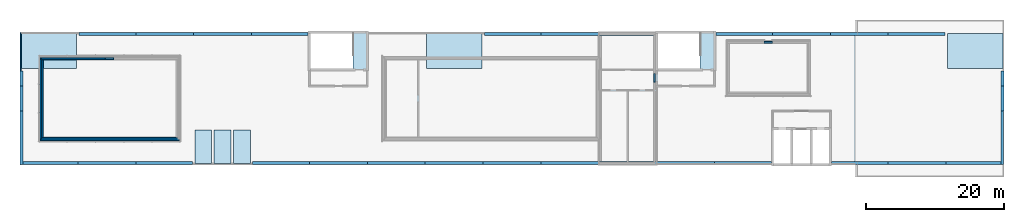
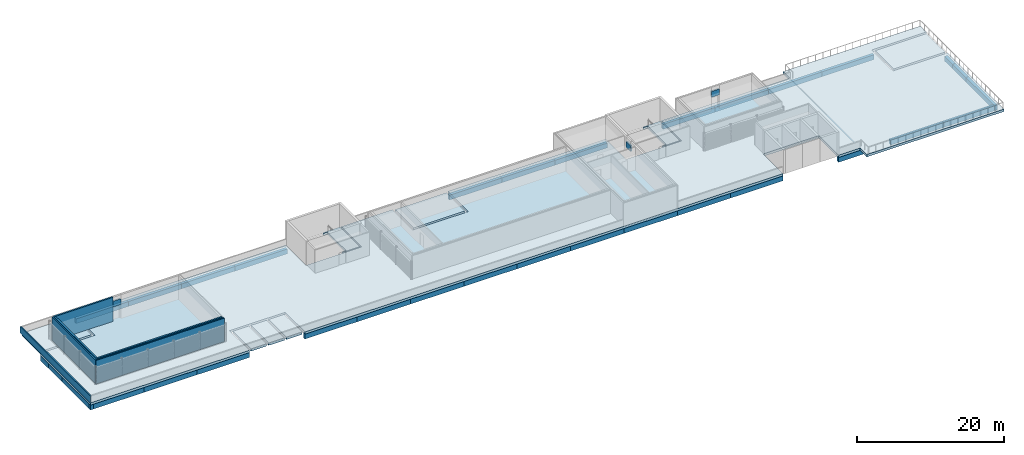
# One storey, part 1 of 13: 35 beams, 9 slabs, 6 walls.
"""IFC4 building model written with IfcOpenShell, lengths in metres."""

from ifc_helpers import new_model, si_unit, direction, frame, frame_2d, origin, origin_2d, place, context, subcontext, project, spatial, polyline, rectangle, outline, extrude, material, layer, layer_set, material_profile, profile_set, type_object, element, save


model = new_model("IFC4")

# Units and contexts
model_context = context("Model", 3, precision=1e-05, world=origin(), true_north=direction((0.0, 1.0)))
body_context = subcontext(model_context, "Body", "Model", "MODEL_VIEW")
ifc_project = project(units=[si_unit("LENGTHUNIT", "METRE"), si_unit("AREAUNIT", "SQUARE_METRE"), si_unit("VOLUMEUNIT", "CUBIC_METRE"), si_unit("PLANEANGLEUNIT", "RADIAN"), si_unit("MASSUNIT", "GRAM", prefix="KILO")], contexts=[model_context])

# Site, building, storey
site_placement = place(None, origin())
site = spatial("IfcSite", under=ifc_project, at=site_placement, CompositionType="ELEMENT")
building_placement = place(site_placement, origin())
building = spatial("IfcBuilding", under=site, at=building_placement, Name="Bougainvillea Quay General Hospital", CompositionType="ELEMENT")
storey_placement = place(building_placement, frame((0.0, 0.0, 36.60009765625)))
storey = spatial("IfcBuildingStorey", under=building, at=storey_placement, Name="L08", CompositionType="ELEMENT", Elevation=36.60009765625)

# Beams
ifc_material_1 = material(Name="Concrete C40, cast in situ", Category="concrete")
ifc_material_profile_1 = material_profile(ifc_material_1, rectangle(XDim=0.25, YDim=0.9599609375, at=origin_2d()))
ifc_profile_set_1 = profile_set([ifc_material_profile_1], Name="Concrete C40, cast in situ")
beam_type_1 = type_object("IfcBeamType", Name="Lintel beam RC 250x960", PredefinedType="BEAM", material=ifc_profile_set_1)
for number, where, z_axis, x_axis, name in (
    (1, (134.099609375, 152.39990234375, 2.829833984375), (0.0, 1.0, 0.0), (-1.0, 0.0, 0.0), "Lintel beam over plant room door"),
    (2, (54.39990234375, 155.7744140625, 2.829833984375), (1.0, 0.0, 0.0), (0.0, 1.0, 0.0), "Lintel beam over plant room door"),
):
    element("IfcBeam", number, at=place(storey_placement, frame(where, z_axis=z_axis, x_axis=x_axis)), inside=storey, type_object=beam_type_1, Name=name, PredefinedType="BEAM", context=body_context, shape_type="SweptSolid", body=[
        extrude(rectangle(XDim=0.25, YDim=0.9599609375, at=origin_2d()), origin(), (0.0, 0.0, 1.0), 1.2001953125),
    ])
beam_1_placement = place(storey_placement, frame((150.0, 158.174560546875, 2.829833984375), z_axis=(1.0, 0.0, 0.0), x_axis=(0.0, 1.0, 0.0)))
element("IfcBeam", 3, at=beam_1_placement, inside=storey, type_object=beam_type_1, Name="Lintel beam over plant room door", PredefinedType="BEAM", context=body_context, shape_type="SweptSolid", body=[
    extrude(rectangle(XDim=0.25, YDim=0.9599609375, at=origin_2d()), origin(), (0.0, 0.0, 1.0), 1.199951171875),
])
ifc_material_2 = material(Name="Concrete C40", Category="concrete")
ifc_material_profile_2 = material_profile(ifc_material_2, rectangle(XDim=0.449951171875, YDim=0.800048828125, at=origin_2d()))
ifc_profile_set_2 = profile_set([ifc_material_profile_2], Name="Concrete C40")
beam_type_2 = type_object("IfcBeamType", Name="RC BEAM 450x800 C40", PredefinedType="BEAM", material=ifc_profile_set_2)
beam_2_placement = place(storey_placement, frame((184.574951171875, 140.39990234375, -0.800048828125), z_axis=(0.0, 1.0, 0.0), x_axis=(-1.0, 0.0, 0.0)))
element("IfcBeam", 4, at=beam_2_placement, inside=storey, type_object=beam_type_2, Name="Edge beam L08", PredefinedType="BEAM", context=body_context, shape_type="SweptSolid", body=[
    extrude(rectangle(XDim=0.449951171875, YDim=0.800048828125, at=origin_2d()), origin(), (0.0, 0.0, 1.0), 7.800048828125),
])
beam_3_placement = place(storey_placement, frame((184.574951171875, 148.199951171875, -0.800048828125), z_axis=(0.0, 1.0, 0.0), x_axis=(-1.0, 0.0, 0.0)))
element("IfcBeam", 5, at=beam_3_placement, inside=storey, type_object=beam_type_2, Name="Edge beam L08", PredefinedType="BEAM", context=body_context, shape_type="SweptSolid", body=[
    extrude(rectangle(XDim=0.449951171875, YDim=0.800048828125, at=origin_2d()), origin(), (0.0, 0.0, 1.0), 3.60009765625),
])
beam_4_placement = place(storey_placement, frame((184.574951171875, 151.800048828125, -0.800048828125), z_axis=(0.0, 1.0, 0.0), x_axis=(-1.0, 0.0, 0.0)))
element("IfcBeam", 6, at=beam_4_placement, inside=storey, type_object=beam_type_2, Name="Edge beam L08", PredefinedType="BEAM", context=body_context, shape_type="SweptSolid", body=[
    extrude(rectangle(XDim=0.449951171875, YDim=0.800048828125, at=origin_2d()), origin(), (0.0, 0.0, 1.0), 2.224853515625),
])
beam_5_placement = place(storey_placement, frame((176.22509765625, 159.375, -0.800048828125), z_axis=(-1.0, 0.0, 0.0), x_axis=(0.0, -1.0, 0.0)))
element("IfcBeam", 7, at=beam_5_placement, inside=storey, type_object=beam_type_2, Name="Edge beam L08", PredefinedType="BEAM", context=body_context, shape_type="SweptSolid", body=[
    extrude(rectangle(XDim=0.449951171875, YDim=0.800048828125, at=origin_2d()), origin(), (0.0, 0.0, 1.0), 8.22509765625),
])
beam_6_placement = place(storey_placement, frame((168.0, 159.375, -0.800048828125), z_axis=(-1.0, 0.0, 0.0), x_axis=(0.0, -1.0, 0.0)))
element("IfcBeam", 8, at=beam_6_placement, inside=storey, type_object=beam_type_2, Name="Edge beam L08", PredefinedType="BEAM", context=body_context, shape_type="SweptSolid", body=[
    extrude(rectangle(XDim=0.449951171875, YDim=0.800048828125, at=origin_2d()), origin(), (0.0, 0.0, 1.0), 8.39990234375),
])
beam_7_placement = place(storey_placement, frame((159.60009765625, 159.375, -0.800048828125), z_axis=(-1.0, 0.0, 0.0), x_axis=(0.0, -1.0, 0.0)))
element("IfcBeam", 9, at=beam_7_placement, inside=storey, type_object=beam_type_2, Name="Edge beam L08", PredefinedType="BEAM", context=body_context, shape_type="SweptSolid", body=[
    extrude(rectangle(XDim=0.449951171875, YDim=0.800048828125, at=origin_2d()), origin(), (0.0, 0.0, 1.0), 8.400146484375),
])
beam_8_placement = place(storey_placement, frame((151.199951171875, 159.375, -0.800048828125), z_axis=(-1.0, 0.0, 0.0), x_axis=(0.0, -1.0, 0.0)))
element("IfcBeam", 10, at=beam_8_placement, inside=storey, type_object=beam_type_2, Name="Edge beam L08", PredefinedType="BEAM", context=body_context, shape_type="SweptSolid", body=[
    extrude(rectangle(XDim=0.449951171875, YDim=0.800048828125, at=origin_2d()), origin(), (0.0, 0.0, 1.0), 8.224853515625),
])
beam_9_placement = place(storey_placement, frame((134.22509765625, 159.375, -0.800048828125), z_axis=(-1.0, 0.0, 0.0), x_axis=(0.0, -1.0, 0.0)))
element("IfcBeam", 11, at=beam_9_placement, inside=storey, type_object=beam_type_2, Name="Edge beam L08", PredefinedType="BEAM", context=body_context, shape_type="SweptSolid", body=[
    extrude(rectangle(XDim=0.449951171875, YDim=0.800048828125, at=origin_2d()), origin(), (0.0, 0.0, 1.0), 8.22509765625),
])
beam_10_placement = place(storey_placement, frame((126.0, 159.375, -0.800048828125), z_axis=(-1.0, 0.0, 0.0), x_axis=(0.0, -1.0, 0.0)))
element("IfcBeam", 12, at=beam_10_placement, inside=storey, type_object=beam_type_2, Name="Edge beam L08", PredefinedType="BEAM", context=body_context, shape_type="SweptSolid", body=[
    extrude(rectangle(XDim=0.449951171875, YDim=0.800048828125, at=origin_2d()), origin(), (0.0, 0.0, 1.0), 8.39990234375),
])
beam_11_placement = place(storey_placement, frame((117.60009765625, 159.375, -0.800048828125), z_axis=(-1.0, 0.0, 0.0), x_axis=(0.0, -1.0, 0.0)))
element("IfcBeam", 13, at=beam_11_placement, inside=storey, type_object=beam_type_2, Name="Edge beam L08", PredefinedType="BEAM", context=body_context, shape_type="SweptSolid", body=[
    extrude(rectangle(XDim=0.449951171875, YDim=0.800048828125, at=origin_2d()), origin(), (0.0, 0.0, 1.0), 8.22509765625),
])
beam_12_placement = place(storey_placement, frame((83.824951171875, 159.375, -0.800048828125), z_axis=(-1.0, 0.0, 0.0), x_axis=(0.0, -1.0, 0.0)))
element("IfcBeam", 14, at=beam_12_placement, inside=storey, type_object=beam_type_2, Name="Edge beam L08", PredefinedType="BEAM", context=body_context, shape_type="SweptSolid", body=[
    extrude(rectangle(XDim=0.449951171875, YDim=0.800048828125, at=origin_2d()), origin(), (0.0, 0.0, 1.0), 8.224853515625),
])
beam_13_placement = place(storey_placement, frame((75.60009765625, 159.375, -0.800048828125), z_axis=(-1.0, 0.0, 0.0), x_axis=(0.0, -1.0, 0.0)))
element("IfcBeam", 15, at=beam_13_placement, inside=storey, type_object=beam_type_2, Name="Edge beam L08", PredefinedType="BEAM", context=body_context, shape_type="SweptSolid", body=[
    extrude(rectangle(XDim=0.449951171875, YDim=0.800048828125, at=origin_2d()), origin(), (0.0, 0.0, 1.0), 8.400146484375),
])
beam_14_placement = place(storey_placement, frame((67.199951171875, 159.375, -0.800048828125), z_axis=(-1.0, 0.0, 0.0), x_axis=(0.0, -1.0, 0.0)))
element("IfcBeam", 16, at=beam_14_placement, inside=storey, type_object=beam_type_2, Name="Edge beam L08", PredefinedType="BEAM", context=body_context, shape_type="SweptSolid", body=[
    extrude(rectangle(XDim=0.449951171875, YDim=0.800048828125, at=origin_2d()), origin(), (0.0, 0.0, 1.0), 8.39990234375),
])
beam_15_placement = place(storey_placement, frame((58.800048828125, 159.375, -0.800048828125), z_axis=(-1.0, 0.0, 0.0), x_axis=(0.0, -1.0, 0.0)))
element("IfcBeam", 17, at=beam_15_placement, inside=storey, type_object=beam_type_2, Name="Edge beam L08", PredefinedType="BEAM", context=body_context, shape_type="SweptSolid", body=[
    extrude(rectangle(XDim=0.449951171875, YDim=0.800048828125, at=origin_2d()), origin(), (0.0, 0.0, 1.0), 8.22509765625),
])
beam_16_placement = place(storey_placement, frame((42.22509765625, 154.02490234375, -0.800048828125), z_axis=(0.0, -1.0, 0.0), x_axis=(1.0, 0.0, 0.0)))
element("IfcBeam", 18, at=beam_16_placement, inside=storey, type_object=beam_type_2, Name="Edge beam L08", PredefinedType="BEAM", context=body_context, shape_type="SweptSolid", body=[
    extrude(rectangle(XDim=0.449951171875, YDim=0.800048828125, at=origin_2d()), origin(), (0.0, 0.0, 1.0), 2.224853515625),
])
beam_17_placement = place(storey_placement, frame((42.22509765625, 151.800048828125, -0.800048828125), z_axis=(0.0, -1.0, 0.0), x_axis=(1.0, 0.0, 0.0)))
element("IfcBeam", 19, at=beam_17_placement, inside=storey, type_object=beam_type_2, Name="Edge beam L08", PredefinedType="BEAM", context=body_context, shape_type="SweptSolid", body=[
    extrude(rectangle(XDim=0.449951171875, YDim=0.800048828125, at=origin_2d()), origin(), (0.0, 0.0, 1.0), 3.60009765625),
])
beam_18_placement = place(storey_placement, frame((42.22509765625, 148.199951171875, -0.800048828125), z_axis=(0.0, -1.0, 0.0), x_axis=(1.0, 0.0, 0.0)))
element("IfcBeam", 20, at=beam_18_placement, inside=storey, type_object=beam_type_2, Name="Edge beam L08", PredefinedType="BEAM", context=body_context, shape_type="SweptSolid", body=[
    extrude(rectangle(XDim=0.449951171875, YDim=0.800048828125, at=origin_2d()), origin(), (0.0, 0.0, 1.0), 7.800048828125),
])
beam_19_placement = place(storey_placement, frame((42.0, 140.625, -0.800048828125), z_axis=(1.0, 0.0, 0.0), x_axis=(0.0, 1.0, 0.0)))
element("IfcBeam", 21, at=beam_19_placement, inside=storey, type_object=beam_type_2, Name="Edge beam L08", PredefinedType="BEAM", context=body_context, shape_type="SweptSolid", body=[
    extrude(rectangle(XDim=0.449951171875, YDim=0.800048828125, at=origin_2d()), origin(), (0.0, 0.0, 1.0), 8.39990234375),
])
beam_20_placement = place(storey_placement, frame((50.39990234375, 140.625, -0.800048828125), z_axis=(1.0, 0.0, 0.0), x_axis=(0.0, 1.0, 0.0)))
element("IfcBeam", 22, at=beam_20_placement, inside=storey, type_object=beam_type_2, Name="Edge beam L08", PredefinedType="BEAM", context=body_context, shape_type="SweptSolid", body=[
    extrude(rectangle(XDim=0.449951171875, YDim=0.800048828125, at=origin_2d()), origin(), (0.0, 0.0, 1.0), 8.400146484375),
])
beam_21_placement = place(storey_placement, frame((58.800048828125, 140.625, -0.800048828125), z_axis=(1.0, 0.0, 0.0), x_axis=(0.0, 1.0, 0.0)))
element("IfcBeam", 23, at=beam_21_placement, inside=storey, type_object=beam_type_2, Name="Edge beam L08", PredefinedType="BEAM", context=body_context, shape_type="SweptSolid", body=[
    extrude(rectangle(XDim=0.449951171875, YDim=0.800048828125, at=origin_2d()), origin(), (0.0, 0.0, 1.0), 8.224853515625),
])
beam_22_placement = place(storey_placement, frame((75.77490234375, 140.625, -0.800048828125), z_axis=(1.0, 0.0, 0.0), x_axis=(0.0, 1.0, 0.0)))
element("IfcBeam", 24, at=beam_22_placement, inside=storey, type_object=beam_type_2, Name="Edge beam L08", PredefinedType="BEAM", context=body_context, shape_type="SweptSolid", body=[
    extrude(rectangle(XDim=0.449951171875, YDim=0.800048828125, at=origin_2d()), origin(), (0.0, 0.0, 1.0), 8.22509765625),
])
beam_23_placement = place(storey_placement, frame((84.0, 140.625, -0.800048828125), z_axis=(1.0, 0.0, 0.0), x_axis=(0.0, 1.0, 0.0)))
element("IfcBeam", 25, at=beam_23_placement, inside=storey, type_object=beam_type_2, Name="Edge beam L08", PredefinedType="BEAM", context=body_context, shape_type="SweptSolid", body=[
    extrude(rectangle(XDim=0.449951171875, YDim=0.800048828125, at=origin_2d()), origin(), (0.0, 0.0, 1.0), 8.39990234375),
])
beam_24_placement = place(storey_placement, frame((92.39990234375, 140.625, -0.800048828125), z_axis=(1.0, 0.0, 0.0), x_axis=(0.0, 1.0, 0.0)))
element("IfcBeam", 26, at=beam_24_placement, inside=storey, type_object=beam_type_2, Name="Edge beam L08", PredefinedType="BEAM", context=body_context, shape_type="SweptSolid", body=[
    extrude(rectangle(XDim=0.449951171875, YDim=0.800048828125, at=origin_2d()), origin(), (0.0, 0.0, 1.0), 8.400146484375),
])
beam_25_placement = place(storey_placement, frame((100.800048828125, 140.625, -0.800048828125), z_axis=(1.0, 0.0, 0.0), x_axis=(0.0, 1.0, 0.0)))
element("IfcBeam", 27, at=beam_25_placement, inside=storey, type_object=beam_type_2, Name="Edge beam L08", PredefinedType="BEAM", context=body_context, shape_type="SweptSolid", body=[
    extrude(rectangle(XDim=0.449951171875, YDim=0.800048828125, at=origin_2d()), origin(), (0.0, 0.0, 1.0), 8.39990234375),
])
beam_26_placement = place(storey_placement, frame((109.199951171875, 140.625, -0.800048828125), z_axis=(1.0, 0.0, 0.0), x_axis=(0.0, 1.0, 0.0)))
element("IfcBeam", 28, at=beam_26_placement, inside=storey, type_object=beam_type_2, Name="Edge beam L08", PredefinedType="BEAM", context=body_context, shape_type="SweptSolid", body=[
    extrude(rectangle(XDim=0.449951171875, YDim=0.800048828125, at=origin_2d()), origin(), (0.0, 0.0, 1.0), 8.400146484375),
])
for number, where, z_axis, x_axis, name in (
    (29, (117.60009765625, 140.625, -0.800048828125), (1.0, 0.0, 0.0), (0.0, 1.0, 0.0), "Edge beam L08"),
    (30, (126.0, 140.625, -0.800048828125), (1.0, 0.0, 0.0), (0.0, 1.0, 0.0), "Edge beam L08"),
):
    element("IfcBeam", number, at=place(storey_placement, frame(where, z_axis=z_axis, x_axis=x_axis)), inside=storey, type_object=beam_type_2, Name=name, PredefinedType="BEAM", context=body_context, shape_type="SweptSolid", body=[
        extrude(rectangle(XDim=0.449951171875, YDim=0.800048828125, at=origin_2d()), origin(), (0.0, 0.0, 1.0), 8.39990234375),
    ])
beam_27_placement = place(storey_placement, frame((134.39990234375, 140.625, -0.800048828125), z_axis=(1.0, 0.0, 0.0), x_axis=(0.0, 1.0, 0.0)))
element("IfcBeam", 31, at=beam_27_placement, inside=storey, type_object=beam_type_2, Name="Edge beam L08", PredefinedType="BEAM", context=body_context, shape_type="SweptSolid", body=[
    extrude(rectangle(XDim=0.449951171875, YDim=0.800048828125, at=origin_2d()), origin(), (0.0, 0.0, 1.0), 8.400146484375),
])
beam_28_placement = place(storey_placement, frame((142.800048828125, 140.625, -0.800048828125), z_axis=(1.0, 0.0, 0.0), x_axis=(0.0, 1.0, 0.0)))
element("IfcBeam", 32, at=beam_28_placement, inside=storey, type_object=beam_type_2, Name="Edge beam L08", PredefinedType="BEAM", context=body_context, shape_type="SweptSolid", body=[
    extrude(rectangle(XDim=0.449951171875, YDim=0.800048828125, at=origin_2d()), origin(), (0.0, 0.0, 1.0), 8.224853515625),
])
beam_29_placement = place(storey_placement, frame((159.77490234375, 140.625, -0.800048828125), z_axis=(1.0, 0.0, 0.0), x_axis=(0.0, 1.0, 0.0)))
element("IfcBeam", 33, at=beam_29_placement, inside=storey, type_object=beam_type_2, Name="Edge beam L08", PredefinedType="BEAM", context=body_context, shape_type="SweptSolid", body=[
    extrude(rectangle(XDim=0.449951171875, YDim=0.800048828125, at=origin_2d()), origin(), (0.0, 0.0, 1.0), 8.22509765625),
])
beam_30_placement = place(storey_placement, frame((168.0, 140.625, -0.800048828125), z_axis=(1.0, 0.0, 0.0), x_axis=(0.0, 1.0, 0.0)))
element("IfcBeam", 34, at=beam_30_placement, inside=storey, type_object=beam_type_2, Name="Edge beam L08", PredefinedType="BEAM", context=body_context, shape_type="SweptSolid", body=[
    extrude(rectangle(XDim=0.449951171875, YDim=0.800048828125, at=origin_2d()), origin(), (0.0, 0.0, 1.0), 8.39990234375),
])
beam_31_placement = place(storey_placement, frame((176.39990234375, 140.625, -0.800048828125), z_axis=(1.0, 0.0, 0.0), x_axis=(0.0, 1.0, 0.0)))
element("IfcBeam", 35, at=beam_31_placement, inside=storey, type_object=beam_type_2, Name="Edge beam L08", PredefinedType="BEAM", context=body_context, shape_type="SweptSolid", body=[
    extrude(rectangle(XDim=0.449951171875, YDim=0.800048828125, at=origin_2d()), origin(), (0.0, 0.0, 1.0), 8.400146484375),
])

# Slabs
ifc_material_3 = material(Name="Concrete C35", Category="concrete")
ifc_layer_1 = layer(ifc_material_3, 0.39990234375)
ifc_layer_set_1 = layer_set([ifc_layer_1], Name="Concrete C35")
slab_type_1 = type_object("IfcSlabType", Name="RC FLAT SLAB 400 C35", PredefinedType="FLOOR", material=ifc_layer_set_1)
slab_1_placement = place(storey_placement, frame((0.0, 0.0, -0.400146484375)))
element("IfcSlab", 36, at=slab_1_placement, inside=storey, type_object=slab_type_1, Name="Slab S8 L08", PredefinedType="FLOOR", context=body_context, shape_type="SweptSolid", body=[
    extrude(outline(polyline([(109.02490234375, 154.375), (109.02490234375, 159.425048828125), (100.97509765625, 159.425048828125), (100.97509765625, 154.375), (109.02490234375, 154.375)])), origin(), (0.0, 0.0, 1.0), 0.400146484375),
])
slab_2_placement = place(storey_placement, frame((0.0, 0.0, -0.400146484375)))
element("IfcSlab", 37, at=slab_2_placement, inside=storey, type_object=slab_type_1, Name="Slab S8 L08", PredefinedType="FLOOR", context=body_context, shape_type="SweptSolid", body=[
    extrude(outline(polyline([(50.22509765625, 154.375), (50.22509765625, 159.425048828125), (42.175048828125, 159.425048828125), (42.175048828125, 154.375), (50.22509765625, 154.375)])), origin(), (0.0, 0.0, 1.0), 0.400146484375),
])
slab_3_placement = place(storey_placement, frame((0.0, 0.0, -0.400146484375)))
element("IfcSlab", 38, at=slab_3_placement, inside=storey, type_object=slab_type_1, Name="Slab S8 L08", PredefinedType="FLOOR", context=body_context, shape_type="SweptSolid", body=[
    extrude(outline(polyline([(184.625, 154.375), (184.625, 159.425048828125), (176.574951171875, 159.425048828125), (176.574951171875, 154.375), (184.625, 154.375)])), origin(), (0.0, 0.0, 1.0), 0.400146484375),
])
slab_4_placement = place(storey_placement, frame((0.0, 0.0, -0.400146484375)))
element("IfcSlab", 39, at=slab_4_placement, inside=storey, type_object=slab_type_1, Name="Slab S8 L08", PredefinedType="FLOOR", context=body_context, shape_type="SweptSolid", body=[
    extrude(outline(polyline([(72.97509765625, 140.574951171875), (75.425048828125, 140.574951171875), (75.425048828125, 145.425048828125), (72.97509765625, 145.425048828125), (72.97509765625, 140.574951171875)])), origin(), (0.0, 0.0, 1.0), 0.400146484375),
])
slab_5_placement = place(storey_placement, frame((0.0, 0.0, -0.400146484375)))
element("IfcSlab", 40, at=slab_5_placement, inside=storey, type_object=slab_type_1, Name="Slab S8 L08", PredefinedType="FLOOR", context=body_context, shape_type="SweptSolid", body=[
    extrude(outline(polyline([(70.175048828125, 145.425048828125), (70.175048828125, 140.574951171875), (72.625, 140.574951171875), (72.625, 145.425048828125), (70.175048828125, 145.425048828125)])), origin(), (0.0, 0.0, 1.0), 0.400146484375),
])
slab_6_placement = place(storey_placement, frame((0.0, 0.0, -0.400146484375)))
element("IfcSlab", 41, at=slab_6_placement, inside=storey, type_object=slab_type_1, Name="Slab S8 L08", PredefinedType="FLOOR", context=body_context, shape_type="SweptSolid", body=[
    extrude(outline(polyline([(69.824951171875, 140.574951171875), (69.824951171875, 145.425048828125), (67.375, 145.425048828125), (67.375, 140.574951171875), (69.824951171875, 140.574951171875)])), origin(), (0.0, 0.0, 1.0), 0.400146484375),
])
slab_7_placement = place(storey_placement, frame((0.0, 0.0, -0.400146484375)))
element("IfcSlab", 42, at=slab_7_placement, inside=storey, type_object=slab_type_1, Name="Stair landing floor ST-A2 L08", PredefinedType="FLOOR", context=body_context, shape_type="SweptSolid", body=[
    extrude(outline(polyline([(89.702880859375, 159.48388671875), (89.71142578125, 159.5419921875), (89.725830078125, 159.599609375), (92.39990234375, 159.60009765625), (92.39990234375, 154.199951171875), (89.725830078125, 154.200439453125), (89.71142578125, 154.2578125), (89.702880859375, 154.316162109375), (89.699951171875, 154.3740234375), (90.300537109375, 154.374267578125), (90.300537109375, 159.425537109375), (89.699951171875, 159.426025390625), (89.702880859375, 159.48388671875)])), origin(), (0.0, 0.0, 1.0), 0.400146484375),
])
slab_8_placement = place(storey_placement, frame((0.0, 0.0, -0.400146484375)))
element("IfcSlab", 43, at=slab_8_placement, inside=storey, type_object=slab_type_1, Name="Stair landing floor ST-A3 L08", PredefinedType="FLOOR", context=body_context, shape_type="SweptSolid", body=[
    extrude(outline(polyline([(140.102783203125, 159.48388671875), (140.111572265625, 159.5419921875), (140.1259765625, 159.599609375), (142.800048828125, 159.60009765625), (142.800048828125, 154.199951171875), (140.1259765625, 154.200439453125), (140.111572265625, 154.2578125), (140.102783203125, 154.316162109375), (140.10009765625, 154.3740234375), (140.70068359375, 154.374267578125), (140.70068359375, 159.425537109375), (140.10009765625, 159.426025390625), (140.102783203125, 159.48388671875)])), origin(), (0.0, 0.0, 1.0), 0.400146484375),
])
ifc_layer_2 = layer(ifc_material_3, 0.39990234375)
ifc_layer_set_2 = layer_set([ifc_layer_2], Name="Concrete C35")
slab_type_2 = type_object("IfcSlabType", Name="RC FLAT SLAB 400 C35 ROOF", PredefinedType="ROOF", material=ifc_layer_set_2)
slab_9_placement = place(storey_placement, frame((0.0, 0.0, -0.400146484375)))
element("IfcSlab", 44, at=slab_9_placement, inside=storey, type_object=slab_type_2, Name="Slab S7 L08", PredefinedType="ROOF", context=body_context, shape_type="SweptSolid", body=[
    extrude(outline(polyline([(42.0, 154.02490234375), (42.0, 140.39990234375), (67.02490234375, 140.39990234375), (67.02490234375, 145.425048828125), (67.02490234375, 145.77490234375), (70.0, 145.77490234375), (72.800048828125, 145.77490234375), (75.425048828125, 145.77490234375), (75.77490234375, 145.77490234375), (75.77490234375, 140.39990234375), (151.02490234375, 140.39990234375), (151.02490234375, 145.425048828125), (151.02490234375, 145.77490234375), (154.0, 145.77490234375), (156.800048828125, 145.77490234375), (159.425048828125, 145.77490234375), (159.77490234375, 145.77490234375), (159.77490234375, 140.39990234375), (163.199951171875, 140.39990234375), (163.199951171875, 138.60009765625), (184.800048828125, 138.60009765625), (184.800048828125, 140.39990234375), (184.800048828125, 154.02490234375), (184.625, 154.02490234375), (176.574951171875, 154.02490234375), (176.22509765625, 154.02490234375), (176.22509765625, 159.425048828125), (176.22509765625, 159.77490234375), (184.625, 159.77490234375), (184.800048828125, 159.77490234375), (184.800048828125, 161.39990234375), (163.199951171875, 161.39990234375), (163.199951171875, 159.60009765625), (142.97509765625, 159.60009765625), (142.97509765625, 154.02490234375), (142.625, 154.02490234375), (134.574951171875, 154.02490234375), (134.22509765625, 154.02490234375), (134.22509765625, 159.425048828125), (134.22509765625, 159.60009765625), (109.375, 159.60009765625), (109.375, 154.02490234375), (109.02490234375, 154.02490234375), (100.97509765625, 154.02490234375), (100.625, 154.02490234375), (100.625, 159.425048828125), (100.625, 159.60009765625), (92.574951171875, 159.60009765625), (92.574951171875, 154.02490234375), (92.22509765625, 154.02490234375), (84.175048828125, 154.02490234375), (83.824951171875, 154.02490234375), (83.824951171875, 159.425048828125), (83.824951171875, 159.60009765625), (50.574951171875, 159.60009765625), (50.574951171875, 154.02490234375), (50.22509765625, 154.02490234375), (42.175048828125, 154.02490234375), (42.0, 154.02490234375)])), origin(), (0.0, 0.0, 1.0), 0.400146484375),
])

# Walls
ifc_layer_3 = layer(ifc_material_1, 0.25)
ifc_layer_set_3 = layer_set([ifc_layer_3], Name="Concrete C40, cast in situ")
wall_type_1 = type_object("IfcWallType", Name="Lift overrun wall RC 250", PredefinedType="SOLIDWALL", material=ifc_layer_set_3)
wall_1_placement = place(storey_placement, origin())
element("IfcWall", 45, at=wall_1_placement, inside=storey, type_object=wall_type_1, Name="Lift overrun wall 0", PredefinedType="SOLIDWALL", context=body_context, shape_type="SweptSolid", body=[
    extrude(outline(polyline([(45.1005859375, 144.1005859375), (64.8994140625, 144.1005859375), (64.8994140625, 144.3505859375), (45.1005859375, 144.3505859375), (45.1005859375, 144.1005859375)])), origin(), (0.0, 0.0, 1.0), 4.0),
])
wall_2_placement = place(storey_placement, origin())
element("IfcWall", 46, at=wall_2_placement, inside=storey, type_object=wall_type_1, Name="Lift overrun wall 0", PredefinedType="SOLIDWALL", context=body_context, shape_type="SweptSolid", body=[
    extrude(outline(polyline([(45.1005859375, 155.6494140625), (45.1005859375, 155.8994140625), (54.39990234375, 155.8994140625), (54.39990234375, 155.6494140625), (45.1005859375, 155.6494140625)])), origin(), (0.0, 0.0, 1.0), 4.0),
])
wall_3_placement = place(storey_placement, origin())
element("IfcWall", 47, at=wall_3_placement, inside=storey, type_object=wall_type_1, Name="Lift overrun wall 0", PredefinedType="SOLIDWALL", context=body_context, shape_type="SweptSolid", body=[
    extrude(outline(polyline([(45.1005859375, 144.3505859375), (45.3505859375, 144.3505859375), (45.3505859375, 155.6494140625), (45.1005859375, 155.6494140625), (45.1005859375, 144.3505859375)])), origin(), (0.0, 0.0, 1.0), 4.0),
])
ifc_material_4 = material(Name="Fire-rated autoclaved aerated block wall, plastered")
ifc_layer_4 = layer(ifc_material_4, 0.199951171875)
ifc_layer_set_4 = layer_set([ifc_layer_4], Name="Fire-rated autoclaved aerated block wall, plastered")
wall_type_2 = type_object("IfcWallType", Name="Partition 200 Fire-rated autoclaved aerated block wall EI 60", PredefinedType="SOLIDWALL", material=ifc_layer_set_4)
wall_4_placement = place(storey_placement, frame((44.89990234375, 144.0, 0.0), z_axis=(0.0, 0.0, 1.0), x_axis=(1.0, 0.0, 0.0)))
element("IfcWall", 48, at=wall_4_placement, inside=storey, type_object=wall_type_2, Name="Partition 200 mm EI 60", PredefinedType="SOLIDWALL", context=body_context, shape_type="SweptSolid", body=[
    extrude(rectangle(XDim=20.2001953125, YDim=0.199951171875, at=frame_2d((10.10009765625, 0.0))), origin(), (0.0, 0.0, 1.0), 3.89990234375),
])
wall_5_placement = place(storey_placement, frame((45.0, 144.10009765625, 0.0), z_axis=(0.0, 0.0, 1.0), x_axis=(0.0, 1.0, 0.0)))
element("IfcWall", 49, at=wall_5_placement, inside=storey, type_object=wall_type_2, Name="Partition 200 mm EI 60", PredefinedType="SOLIDWALL", context=body_context, shape_type="SweptSolid", body=[
    extrude(rectangle(XDim=11.7998046875, YDim=0.199951171875, at=frame_2d((5.89990234375, 0.0))), origin(), (0.0, 0.0, 1.0), 3.89990234375),
])
ifc_material_5 = material(Name="Concrete C35 upstand, painted white", Category="concrete")
ifc_layer_5 = layer(ifc_material_5, 0.199951171875)
ifc_layer_set_5 = layer_set([ifc_layer_5], Name="Concrete C35 upstand, painted white")
wall_type_3 = type_object("IfcWallType", Name="Roof parapet wall 200", PredefinedType="PARAPET", material=ifc_layer_set_5)
wall_6_placement = place(storey_placement, origin())
element("IfcWall", 50, at=wall_6_placement, inside=storey, type_object=wall_type_3, Name="Roof parapet 0 4", PredefinedType="PARAPET", context=body_context, shape_type="SweptSolid", body=[
    extrude(outline(polyline([(42.199951171875, 140.60009765625), (42.0, 140.39990234375), (42.0, 159.60009765625), (42.199951171875, 159.39990234375), (42.199951171875, 140.60009765625)])), origin(), (0.0, 0.0, 1.0), 1.099853515625),
])

save(model, "model.ifc")
